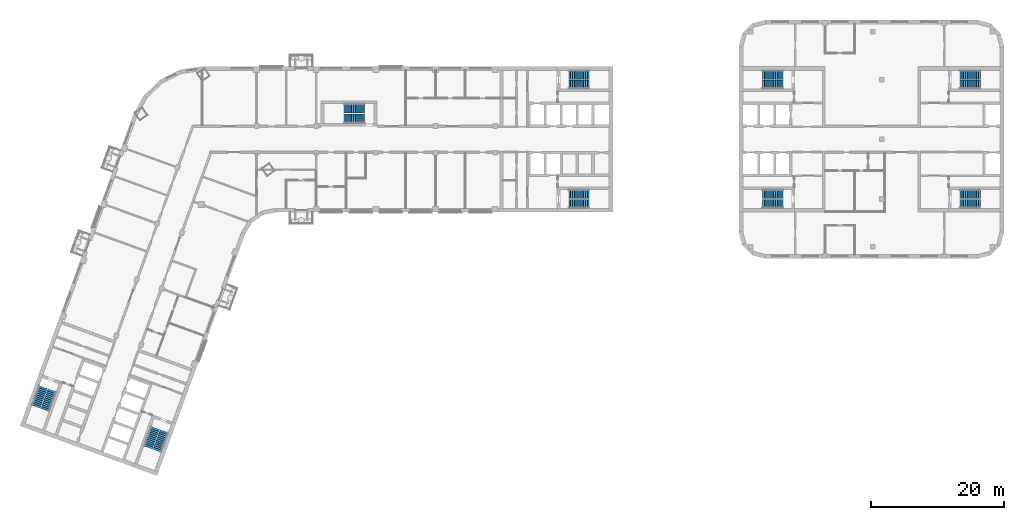
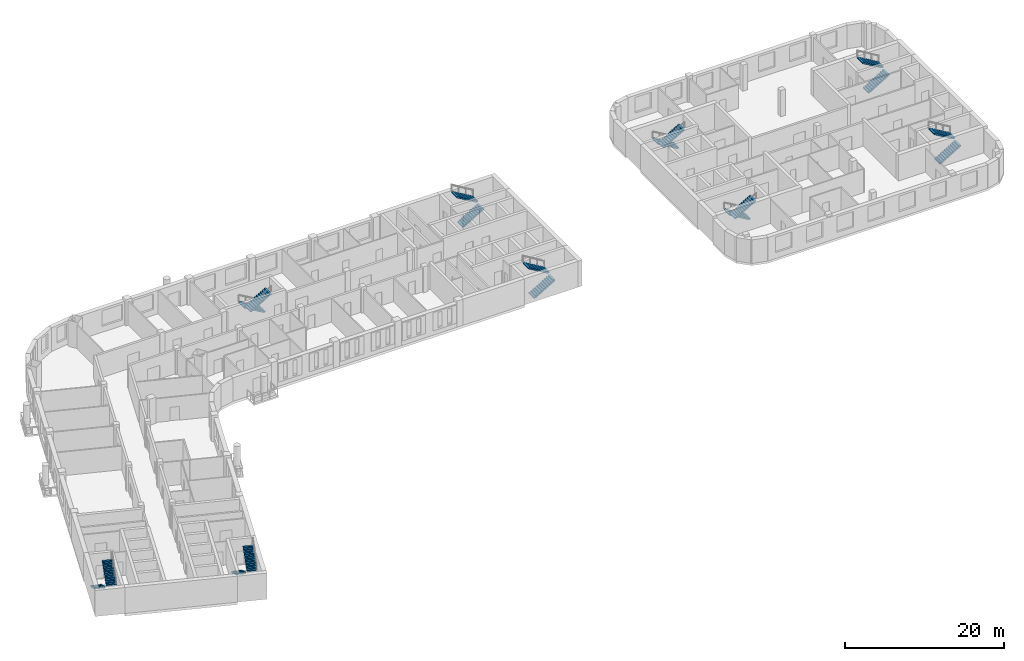
# One storey, part 11 of 16: 18 stair flights, 9 elements without a shape of their own.
"""IFC4 building model written with IfcOpenShell, lengths in metres."""

from ifc_helpers import new_model, si_unit, direction, frame, origin, place, context, subcontext, project, spatial, polyline, outline, extrude, material, type_object, element, aggregate, save


model = new_model("IFC4")

# Units and contexts
model_context = context("Model", 3, precision=1e-05, world=origin(), true_north=direction((0.0, 1.0)))
body_context = subcontext(model_context, "Body", "Model", "MODEL_VIEW")
ifc_project = project(units=[si_unit("LENGTHUNIT", "METRE"), si_unit("AREAUNIT", "SQUARE_METRE"), si_unit("VOLUMEUNIT", "CUBIC_METRE"), si_unit("PLANEANGLEUNIT", "RADIAN"), si_unit("MASSUNIT", "GRAM", prefix="KILO")], contexts=[model_context])

# Site, building, storey
site_placement = place(None, origin())
site = spatial("IfcSite", under=ifc_project, at=site_placement, CompositionType="ELEMENT")
building_placement = place(site_placement, origin())
building = spatial("IfcBuilding", under=site, at=building_placement, Name="Skarvind Civic Tower", CompositionType="ELEMENT")
storey_placement = place(building_placement, frame((0.0, 0.0, 67.5)))
storey = spatial("IfcBuildingStorey", under=building, at=storey_placement, Name="L15", CompositionType="ELEMENT", Elevation=67.5)

# Stair, stair flights
ifc_material = material(Name="Concrete C40/50", Category="concrete")
stair_type_1 = type_object("IfcStairType", Name="Exit stair 1450, half-turn, concrete", PredefinedType="HALF_TURN_STAIR", material=ifc_material)
stair_1_placement = place(storey_placement, origin())
stair_1 = element("IfcStair", 1, at=stair_1_placement, inside=storey, type_object=stair_type_1, Name="Exit stair CM", PredefinedType="HALF_TURN_STAIR")
stair_flight_type_1 = type_object("IfcStairFlightType", Name="Stair flight 1450, concrete", PredefinedType="STRAIGHT", material=ifc_material)
stair_flight_1_placement = place(storey_placement, frame((70.550048828125, 132.675048828125, 0.0), z_axis=(0.0, 0.0, 1.0), x_axis=(-1.0, 0.0, 0.0)))
stair_flight_1 = element("IfcStairFlight", 2, at=stair_flight_1_placement, type_object=stair_flight_type_1, Name="ST-CM flight 1", NumberOfRisers=12, NumberOfTreads=11, PredefinedType="STRAIGHT", RiserHeight=0.166666667, TreadLength=0.28, context=body_context, shape_type="SweptSolid", body=[
    extrude(outline(polyline([(0.0, 0.0), (0.0, 0.166748046875), (0.280029296875, 0.166748046875), (0.280029296875, 0.333251953125), (0.56005859375, 0.333251953125), (0.56005859375, 0.5), (0.840087890625, 0.5), (0.840087890625, 0.666748046875), (1.1201171875, 0.666748046875), (1.1201171875, 0.833251953125), (1.39990234375, 0.833251953125), (1.39990234375, 1.0), (1.679931640625, 1.0), (1.679931640625, 1.166748046875), (1.9599609375, 1.166748046875), (1.9599609375, 1.333251953125), (2.239990234375, 1.333251953125), (2.239990234375, 1.5), (2.52001953125, 1.5), (2.52001953125, 1.666748046875), (2.800048828125, 1.666748046875), (2.800048828125, 1.833251953125), (3.080078125, 1.833251953125), (3.080078125, 2.0), (3.080078125, 1.658935546875), (0.29296875, 0.0), (0.0, 0.0)])), frame((0.0, 0.72509765625, 0.0), z_axis=(0.0, -1.0, 0.0), x_axis=(1.0, 0.0, 0.0)), (0.0, 0.0, 1.0), 1.449951171875),
])
stair_flight_2_placement = place(storey_placement, frame((67.469970703125, 131.125, 2.0), z_axis=(0.0, 0.0, 1.0), x_axis=(1.0, 0.0, 0.0)))
stair_flight_2 = element("IfcStairFlight", 3, at=stair_flight_2_placement, type_object=stair_flight_type_1, Name="ST-CM flight 2", NumberOfRisers=12, NumberOfTreads=11, PredefinedType="STRAIGHT", RiserHeight=0.166666667, TreadLength=0.28, context=body_context, shape_type="SweptSolid", body=[
    extrude(outline(polyline([(0.0, 0.0), (0.0, 0.166748046875), (0.280029296875, 0.166748046875), (0.280029296875, 0.333251953125), (0.56005859375, 0.333251953125), (0.56005859375, 0.5), (0.840087890625, 0.5), (0.840087890625, 0.666748046875), (1.1201171875, 0.666748046875), (1.1201171875, 0.833251953125), (1.39990234375, 0.833251953125), (1.39990234375, 1.0), (1.679931640625, 1.0), (1.679931640625, 1.166748046875), (1.9599609375, 1.166748046875), (1.9599609375, 1.333251953125), (2.239990234375, 1.333251953125), (2.239990234375, 1.5), (2.52001953125, 1.5), (2.52001953125, 1.666748046875), (2.800048828125, 1.666748046875), (2.800048828125, 1.833251953125), (3.080078125, 1.833251953125), (3.080078125, 2.0), (3.080078125, 1.658935546875), (0.29296875, 0.0), (0.0, 0.0)])), frame((0.0, 0.72509765625, 0.0), z_axis=(0.0, -1.0, 0.0), x_axis=(1.0, 0.0, 0.0)), (0.0, 0.0, 1.0), 1.449951171875),
])
aggregate(stair_1, [stair_flight_1, stair_flight_2])

stair_type_2 = type_object("IfcStairType", Name="Exit stair, half-turn, concrete", PredefinedType="HALF_TURN_STAIR", material=ifc_material)
stair_2_placement = place(storey_placement, origin())
stair_2 = element("IfcStair", 4, at=stair_2_placement, inside=storey, type_object=stair_type_2, Name="Exit stair C1S", PredefinedType="HALF_TURN_STAIR")
stair_flight_type_2 = type_object("IfcStairFlightType", Name="Stair flight, concrete", PredefinedType="STRAIGHT", material=ifc_material)
stair_flight_3_placement = place(storey_placement, frame((101.35009765625, 136.27490234375, 0.0), z_axis=(0.0, 0.0, 1.0), x_axis=(1.0, 0.0, 0.0)))
stair_flight_3 = element("IfcStairFlight", 5, at=stair_flight_3_placement, type_object=stair_flight_type_2, Name="ST-C1S flight 1", NumberOfRisers=12, NumberOfTreads=11, PredefinedType="STRAIGHT", RiserHeight=0.166666667, TreadLength=0.28, context=body_context, shape_type="SweptSolid", body=[
    extrude(outline(polyline([(0.0, 0.0), (0.0, 0.166748046875), (0.280029296875, 0.166748046875), (0.280029296875, 0.333251953125), (0.56005859375, 0.333251953125), (0.56005859375, 0.5), (0.840087890625, 0.5), (0.840087890625, 0.666748046875), (1.1201171875, 0.666748046875), (1.1201171875, 0.833251953125), (1.39990234375, 0.833251953125), (1.39990234375, 1.0), (1.679931640625, 1.0), (1.679931640625, 1.166748046875), (1.9599609375, 1.166748046875), (1.9599609375, 1.333251953125), (2.239990234375, 1.333251953125), (2.239990234375, 1.5), (2.52001953125, 1.5), (2.52001953125, 1.666748046875), (2.800048828125, 1.666748046875), (2.800048828125, 1.833251953125), (3.080078125, 1.833251953125), (3.080078125, 2.0), (3.080078125, 1.658935546875), (0.29296875, 0.0), (0.0, 0.0)])), frame((0.0, 0.675048828125, 0.0), z_axis=(0.0, -1.0, 0.0), x_axis=(1.0, 0.0, 0.0)), (0.0, 0.0, 1.0), 1.35009765625),
])
stair_flight_4_placement = place(storey_placement, frame((104.429931640625, 137.72509765625, 2.0), z_axis=(0.0, 0.0, 1.0), x_axis=(-1.0, 0.0, 0.0)))
stair_flight_4 = element("IfcStairFlight", 6, at=stair_flight_4_placement, type_object=stair_flight_type_2, Name="ST-C1S flight 2", NumberOfRisers=12, NumberOfTreads=11, PredefinedType="STRAIGHT", RiserHeight=0.166666667, TreadLength=0.28, context=body_context, shape_type="SweptSolid", body=[
    extrude(outline(polyline([(0.0, 0.0), (0.0, 0.166748046875), (0.280029296875, 0.166748046875), (0.280029296875, 0.333251953125), (0.56005859375, 0.333251953125), (0.56005859375, 0.5), (0.840087890625, 0.5), (0.840087890625, 0.666748046875), (1.1201171875, 0.666748046875), (1.1201171875, 0.833251953125), (1.39990234375, 0.833251953125), (1.39990234375, 1.0), (1.679931640625, 1.0), (1.679931640625, 1.166748046875), (1.9599609375, 1.166748046875), (1.9599609375, 1.333251953125), (2.239990234375, 1.333251953125), (2.239990234375, 1.5), (2.52001953125, 1.5), (2.52001953125, 1.666748046875), (2.800048828125, 1.666748046875), (2.800048828125, 1.833251953125), (3.080078125, 1.833251953125), (3.080078125, 2.0), (3.080078125, 1.658935546875), (0.29296875, 0.0), (0.0, 0.0)])), frame((0.0, 0.675048828125, 0.0), z_axis=(0.0, -1.0, 0.0), x_axis=(1.0, 0.0, 0.0)), (0.0, 0.0, 1.0), 1.35009765625),
])
aggregate(stair_2, [stair_flight_3, stair_flight_4])

stair_3_placement = place(storey_placement, origin())
stair_3 = element("IfcStair", 7, at=stair_3_placement, inside=storey, type_object=stair_type_2, Name="Exit stair C1N", PredefinedType="HALF_TURN_STAIR")
stair_flight_5_placement = place(storey_placement, frame((101.35009765625, 118.27490234375, 0.0), z_axis=(0.0, 0.0, 1.0), x_axis=(1.0, 0.0, 0.0)))
stair_flight_5 = element("IfcStairFlight", 8, at=stair_flight_5_placement, type_object=stair_flight_type_2, Name="ST-C1N flight 1", NumberOfRisers=12, NumberOfTreads=11, PredefinedType="STRAIGHT", RiserHeight=0.166666667, TreadLength=0.28, context=body_context, shape_type="SweptSolid", body=[
    extrude(outline(polyline([(0.0, 0.0), (0.0, 0.166748046875), (0.280029296875, 0.166748046875), (0.280029296875, 0.333251953125), (0.56005859375, 0.333251953125), (0.56005859375, 0.5), (0.840087890625, 0.5), (0.840087890625, 0.666748046875), (1.1201171875, 0.666748046875), (1.1201171875, 0.833251953125), (1.39990234375, 0.833251953125), (1.39990234375, 1.0), (1.679931640625, 1.0), (1.679931640625, 1.166748046875), (1.9599609375, 1.166748046875), (1.9599609375, 1.333251953125), (2.239990234375, 1.333251953125), (2.239990234375, 1.5), (2.52001953125, 1.5), (2.52001953125, 1.666748046875), (2.800048828125, 1.666748046875), (2.800048828125, 1.833251953125), (3.080078125, 1.833251953125), (3.080078125, 2.0), (3.080078125, 1.658935546875), (0.29296875, 0.0), (0.0, 0.0)])), frame((0.0, 0.675048828125, 0.0), z_axis=(0.0, -1.0, 0.0), x_axis=(1.0, 0.0, 0.0)), (0.0, 0.0, 1.0), 1.35009765625),
])
stair_flight_6_placement = place(storey_placement, frame((104.429931640625, 119.72509765625, 2.0), z_axis=(0.0, 0.0, 1.0), x_axis=(-1.0, 0.0, 0.0)))
stair_flight_6 = element("IfcStairFlight", 9, at=stair_flight_6_placement, type_object=stair_flight_type_2, Name="ST-C1N flight 2", NumberOfRisers=12, NumberOfTreads=11, PredefinedType="STRAIGHT", RiserHeight=0.166666667, TreadLength=0.28, context=body_context, shape_type="SweptSolid", body=[
    extrude(outline(polyline([(0.0, 0.0), (0.0, 0.166748046875), (0.280029296875, 0.166748046875), (0.280029296875, 0.333251953125), (0.56005859375, 0.333251953125), (0.56005859375, 0.5), (0.840087890625, 0.5), (0.840087890625, 0.666748046875), (1.1201171875, 0.666748046875), (1.1201171875, 0.833251953125), (1.39990234375, 0.833251953125), (1.39990234375, 1.0), (1.679931640625, 1.0), (1.679931640625, 1.166748046875), (1.9599609375, 1.166748046875), (1.9599609375, 1.333251953125), (2.239990234375, 1.333251953125), (2.239990234375, 1.5), (2.52001953125, 1.5), (2.52001953125, 1.666748046875), (2.800048828125, 1.666748046875), (2.800048828125, 1.833251953125), (3.080078125, 1.833251953125), (3.080078125, 2.0), (3.080078125, 1.658935546875), (0.29296875, 0.0), (0.0, 0.0)])), frame((0.0, 0.675048828125, 0.0), z_axis=(0.0, -1.0, 0.0), x_axis=(1.0, 0.0, 0.0)), (0.0, 0.0, 1.0), 1.35009765625),
])
aggregate(stair_3, [stair_flight_5, stair_flight_6])

stair_4_placement = place(storey_placement, origin())
stair_4 = element("IfcStair", 10, at=stair_4_placement, inside=storey, type_object=stair_type_2, Name="Exit stair C2S", PredefinedType="HALF_TURN_STAIR")
stair_flight_7_placement = place(storey_placement, frame((38.949462890625, 84.43408203125, 0.0), z_axis=(0.0, 0.0, 1.0), x_axis=(-0.342020143326, -0.939692620786, 0.0)))
stair_flight_7 = element("IfcStairFlight", 11, at=stair_flight_7_placement, type_object=stair_flight_type_2, Name="ST-C2S flight 1", NumberOfRisers=12, NumberOfTreads=11, PredefinedType="STRAIGHT", RiserHeight=0.166666667, TreadLength=0.28, context=body_context, shape_type="SweptSolid", body=[
    extrude(outline(polyline([(0.0, 0.0), (0.0, 0.166748046875), (0.280029296875, 0.166748046875), (0.280029296875, 0.333251953125), (0.56005859375, 0.333251953125), (0.56005859375, 0.5), (0.840087890625, 0.5), (0.840087890625, 0.666748046875), (1.1201171875, 0.666748046875), (1.1201171875, 0.833251953125), (1.39990234375, 0.833251953125), (1.39990234375, 1.0), (1.679931640625, 1.0), (1.679931640625, 1.166748046875), (1.9599609375, 1.166748046875), (1.9599609375, 1.333251953125), (2.239990234375, 1.333251953125), (2.239990234375, 1.5), (2.52001953125, 1.5), (2.52001953125, 1.666748046875), (2.800048828125, 1.666748046875), (2.800048828125, 1.833251953125), (3.080078125, 1.833251953125), (3.080078125, 2.0), (3.080078125, 1.658935546875), (0.29296875, 0.0), (0.0, 0.0)])), frame((0.0, 0.675048828125, 0.0), z_axis=(0.0, -1.0, 0.0), x_axis=(1.0, 0.0, 0.0)), (0.0, 0.0, 1.0), 1.35009765625),
])
stair_flight_8_placement = place(storey_placement, frame((39.258544921875, 81.0439453125, 2.0), z_axis=(0.0, 0.0, 1.0), x_axis=(0.342020143326, 0.939692620786, 0.0)))
stair_flight_8 = element("IfcStairFlight", 12, at=stair_flight_8_placement, type_object=stair_flight_type_2, Name="ST-C2S flight 2", NumberOfRisers=12, NumberOfTreads=11, PredefinedType="STRAIGHT", RiserHeight=0.166666667, TreadLength=0.28, context=body_context, shape_type="SweptSolid", body=[
    extrude(outline(polyline([(0.0, 0.0), (0.0, 0.166748046875), (0.280029296875, 0.166748046875), (0.280029296875, 0.333251953125), (0.56005859375, 0.333251953125), (0.56005859375, 0.5), (0.840087890625, 0.5), (0.840087890625, 0.666748046875), (1.1201171875, 0.666748046875), (1.1201171875, 0.833251953125), (1.39990234375, 0.833251953125), (1.39990234375, 1.0), (1.679931640625, 1.0), (1.679931640625, 1.166748046875), (1.9599609375, 1.166748046875), (1.9599609375, 1.333251953125), (2.239990234375, 1.333251953125), (2.239990234375, 1.5), (2.52001953125, 1.5), (2.52001953125, 1.666748046875), (2.800048828125, 1.666748046875), (2.800048828125, 1.833251953125), (3.080078125, 1.833251953125), (3.080078125, 2.0), (3.080078125, 1.658935546875), (0.29296875, 0.0), (0.0, 0.0)])), frame((0.0, 0.675048828125, 0.0), z_axis=(0.0, -1.0, 0.0), x_axis=(1.0, 0.0, 0.0)), (0.0, 0.0, 1.0), 1.35009765625),
])
aggregate(stair_4, [stair_flight_7, stair_flight_8])

stair_5_placement = place(storey_placement, origin())
stair_5 = element("IfcStair", 13, at=stair_5_placement, inside=storey, type_object=stair_type_2, Name="Exit stair C2N", PredefinedType="HALF_TURN_STAIR")
stair_flight_9_placement = place(storey_placement, frame((22.034912109375, 90.590576171875, 0.0), z_axis=(0.0, 0.0, 1.0), x_axis=(-0.342020143326, -0.939692620786, 0.0)))
stair_flight_9 = element("IfcStairFlight", 14, at=stair_flight_9_placement, type_object=stair_flight_type_2, Name="ST-C2N flight 1", NumberOfRisers=12, NumberOfTreads=11, PredefinedType="STRAIGHT", RiserHeight=0.166666667, TreadLength=0.28, context=body_context, shape_type="SweptSolid", body=[
    extrude(outline(polyline([(0.0, 0.0), (0.0, 0.166748046875), (0.280029296875, 0.166748046875), (0.280029296875, 0.333251953125), (0.56005859375, 0.333251953125), (0.56005859375, 0.5), (0.840087890625, 0.5), (0.840087890625, 0.666748046875), (1.1201171875, 0.666748046875), (1.1201171875, 0.833251953125), (1.39990234375, 0.833251953125), (1.39990234375, 1.0), (1.679931640625, 1.0), (1.679931640625, 1.166748046875), (1.9599609375, 1.166748046875), (1.9599609375, 1.333251953125), (2.239990234375, 1.333251953125), (2.239990234375, 1.5), (2.52001953125, 1.5), (2.52001953125, 1.666748046875), (2.800048828125, 1.666748046875), (2.800048828125, 1.833251953125), (3.080078125, 1.833251953125), (3.080078125, 2.0), (3.080078125, 1.658935546875), (0.29296875, 0.0), (0.0, 0.0)])), frame((0.0, 0.675048828125, 0.0), z_axis=(0.0, -1.0, 0.0), x_axis=(1.0, 0.0, 0.0)), (0.0, 0.0, 1.0), 1.35009765625),
])
stair_flight_10_placement = place(storey_placement, frame((22.343994140625, 87.2001953125, 2.0), z_axis=(0.0, 0.0, 1.0), x_axis=(0.342020143326, 0.939692620786, 0.0)))
stair_flight_10 = element("IfcStairFlight", 15, at=stair_flight_10_placement, type_object=stair_flight_type_2, Name="ST-C2N flight 2", NumberOfRisers=12, NumberOfTreads=11, PredefinedType="STRAIGHT", RiserHeight=0.166666667, TreadLength=0.28, context=body_context, shape_type="SweptSolid", body=[
    extrude(outline(polyline([(0.0, 0.0), (0.0, 0.166748046875), (0.280029296875, 0.166748046875), (0.280029296875, 0.333251953125), (0.56005859375, 0.333251953125), (0.56005859375, 0.5), (0.840087890625, 0.5), (0.840087890625, 0.666748046875), (1.1201171875, 0.666748046875), (1.1201171875, 0.833251953125), (1.39990234375, 0.833251953125), (1.39990234375, 1.0), (1.679931640625, 1.0), (1.679931640625, 1.166748046875), (1.9599609375, 1.166748046875), (1.9599609375, 1.333251953125), (2.239990234375, 1.333251953125), (2.239990234375, 1.5), (2.52001953125, 1.5), (2.52001953125, 1.666748046875), (2.800048828125, 1.666748046875), (2.800048828125, 1.833251953125), (3.080078125, 1.833251953125), (3.080078125, 2.0), (3.080078125, 1.658935546875), (0.29296875, 0.0), (0.0, 0.0)])), frame((0.0, 0.675048828125, 0.0), z_axis=(0.0, -1.0, 0.0), x_axis=(1.0, 0.0, 0.0)), (0.0, 0.0, 1.0), 1.35009765625),
])
aggregate(stair_5, [stair_flight_9, stair_flight_10])

stair_6_placement = place(storey_placement, origin())
stair_6 = element("IfcStair", 16, at=stair_6_placement, inside=storey, type_object=stair_type_2, Name="Exit stair CAS", PredefinedType="HALF_TURN_STAIR")
stair_flight_11_placement = place(storey_placement, frame((133.64990234375, 119.72509765625, 0.0), z_axis=(0.0, 0.0, 1.0), x_axis=(-1.0, 0.0, 0.0)))
stair_flight_11 = element("IfcStairFlight", 17, at=stair_flight_11_placement, type_object=stair_flight_type_2, Name="ST-CAS flight 1", NumberOfRisers=12, NumberOfTreads=11, PredefinedType="STRAIGHT", RiserHeight=0.166666667, TreadLength=0.28, context=body_context, shape_type="SweptSolid", body=[
    extrude(outline(polyline([(0.0, 0.0), (0.0, 0.166748046875), (0.280029296875, 0.166748046875), (0.280029296875, 0.333251953125), (0.56005859375, 0.333251953125), (0.56005859375, 0.5), (0.840087890625, 0.5), (0.840087890625, 0.666748046875), (1.1201171875, 0.666748046875), (1.1201171875, 0.833251953125), (1.39990234375, 0.833251953125), (1.39990234375, 1.0), (1.679931640625, 1.0), (1.679931640625, 1.166748046875), (1.9599609375, 1.166748046875), (1.9599609375, 1.333251953125), (2.239990234375, 1.333251953125), (2.239990234375, 1.5), (2.52001953125, 1.5), (2.52001953125, 1.666748046875), (2.800048828125, 1.666748046875), (2.800048828125, 1.833251953125), (3.080078125, 1.833251953125), (3.080078125, 2.0), (3.080078125, 1.658935546875), (0.29296875, 0.0), (0.0, 0.0)])), frame((0.0, 0.675048828125, 0.0), z_axis=(0.0, -1.0, 0.0), x_axis=(1.0, 0.0, 0.0)), (0.0, 0.0, 1.0), 1.35009765625),
])
stair_flight_12_placement = place(storey_placement, frame((130.570068359375, 118.27490234375, 2.0), z_axis=(0.0, 0.0, 1.0), x_axis=(1.0, 0.0, 0.0)))
stair_flight_12 = element("IfcStairFlight", 18, at=stair_flight_12_placement, type_object=stair_flight_type_2, Name="ST-CAS flight 2", NumberOfRisers=12, NumberOfTreads=11, PredefinedType="STRAIGHT", RiserHeight=0.166666667, TreadLength=0.28, context=body_context, shape_type="SweptSolid", body=[
    extrude(outline(polyline([(0.0, 0.0), (0.0, 0.166748046875), (0.280029296875, 0.166748046875), (0.280029296875, 0.333251953125), (0.56005859375, 0.333251953125), (0.56005859375, 0.5), (0.840087890625, 0.5), (0.840087890625, 0.666748046875), (1.1201171875, 0.666748046875), (1.1201171875, 0.833251953125), (1.39990234375, 0.833251953125), (1.39990234375, 1.0), (1.679931640625, 1.0), (1.679931640625, 1.166748046875), (1.9599609375, 1.166748046875), (1.9599609375, 1.333251953125), (2.239990234375, 1.333251953125), (2.239990234375, 1.5), (2.52001953125, 1.5), (2.52001953125, 1.666748046875), (2.800048828125, 1.666748046875), (2.800048828125, 1.833251953125), (3.080078125, 1.833251953125), (3.080078125, 2.0), (3.080078125, 1.658935546875), (0.29296875, 0.0), (0.0, 0.0)])), frame((0.0, 0.675048828125, 0.0), z_axis=(0.0, -1.0, 0.0), x_axis=(1.0, 0.0, 0.0)), (0.0, 0.0, 1.0), 1.35009765625),
])
aggregate(stair_6, [stair_flight_11, stair_flight_12])

stair_7_placement = place(storey_placement, origin())
stair_7 = element("IfcStair", 19, at=stair_7_placement, inside=storey, type_object=stair_type_2, Name="Exit stair CAN", PredefinedType="HALF_TURN_STAIR")
stair_flight_13_placement = place(storey_placement, frame((133.64990234375, 137.72509765625, 0.0), z_axis=(0.0, 0.0, 1.0), x_axis=(-1.0, 0.0, 0.0)))
stair_flight_13 = element("IfcStairFlight", 20, at=stair_flight_13_placement, type_object=stair_flight_type_2, Name="ST-CAN flight 1", NumberOfRisers=12, NumberOfTreads=11, PredefinedType="STRAIGHT", RiserHeight=0.166666667, TreadLength=0.28, context=body_context, shape_type="SweptSolid", body=[
    extrude(outline(polyline([(0.0, 0.0), (0.0, 0.166748046875), (0.280029296875, 0.166748046875), (0.280029296875, 0.333251953125), (0.56005859375, 0.333251953125), (0.56005859375, 0.5), (0.840087890625, 0.5), (0.840087890625, 0.666748046875), (1.1201171875, 0.666748046875), (1.1201171875, 0.833251953125), (1.39990234375, 0.833251953125), (1.39990234375, 1.0), (1.679931640625, 1.0), (1.679931640625, 1.166748046875), (1.9599609375, 1.166748046875), (1.9599609375, 1.333251953125), (2.239990234375, 1.333251953125), (2.239990234375, 1.5), (2.52001953125, 1.5), (2.52001953125, 1.666748046875), (2.800048828125, 1.666748046875), (2.800048828125, 1.833251953125), (3.080078125, 1.833251953125), (3.080078125, 2.0), (3.080078125, 1.658935546875), (0.29296875, 0.0), (0.0, 0.0)])), frame((0.0, 0.675048828125, 0.0), z_axis=(0.0, -1.0, 0.0), x_axis=(1.0, 0.0, 0.0)), (0.0, 0.0, 1.0), 1.35009765625),
])
stair_flight_14_placement = place(storey_placement, frame((130.570068359375, 136.27490234375, 2.0), z_axis=(0.0, 0.0, 1.0), x_axis=(1.0, 0.0, 0.0)))
stair_flight_14 = element("IfcStairFlight", 21, at=stair_flight_14_placement, type_object=stair_flight_type_2, Name="ST-CAN flight 2", NumberOfRisers=12, NumberOfTreads=11, PredefinedType="STRAIGHT", RiserHeight=0.166666667, TreadLength=0.28, context=body_context, shape_type="SweptSolid", body=[
    extrude(outline(polyline([(0.0, 0.0), (0.0, 0.166748046875), (0.280029296875, 0.166748046875), (0.280029296875, 0.333251953125), (0.56005859375, 0.333251953125), (0.56005859375, 0.5), (0.840087890625, 0.5), (0.840087890625, 0.666748046875), (1.1201171875, 0.666748046875), (1.1201171875, 0.833251953125), (1.39990234375, 0.833251953125), (1.39990234375, 1.0), (1.679931640625, 1.0), (1.679931640625, 1.166748046875), (1.9599609375, 1.166748046875), (1.9599609375, 1.333251953125), (2.239990234375, 1.333251953125), (2.239990234375, 1.5), (2.52001953125, 1.5), (2.52001953125, 1.666748046875), (2.800048828125, 1.666748046875), (2.800048828125, 1.833251953125), (3.080078125, 1.833251953125), (3.080078125, 2.0), (3.080078125, 1.658935546875), (0.29296875, 0.0), (0.0, 0.0)])), frame((0.0, 0.675048828125, 0.0), z_axis=(0.0, -1.0, 0.0), x_axis=(1.0, 0.0, 0.0)), (0.0, 0.0, 1.0), 1.35009765625),
])
aggregate(stair_7, [stair_flight_13, stair_flight_14])

stair_8_placement = place(storey_placement, origin())
stair_8 = element("IfcStair", 22, at=stair_8_placement, inside=storey, type_object=stair_type_2, Name="Exit stair CBS", PredefinedType="HALF_TURN_STAIR")
stair_flight_15_placement = place(storey_placement, frame((160.35009765625, 136.27490234375, 0.0), z_axis=(0.0, 0.0, 1.0), x_axis=(1.0, 0.0, 0.0)))
stair_flight_15 = element("IfcStairFlight", 23, at=stair_flight_15_placement, type_object=stair_flight_type_2, Name="ST-CBS flight 1", NumberOfRisers=12, NumberOfTreads=11, PredefinedType="STRAIGHT", RiserHeight=0.166666667, TreadLength=0.28, context=body_context, shape_type="SweptSolid", body=[
    extrude(outline(polyline([(0.0, 0.0), (0.0, 0.166748046875), (0.280029296875, 0.166748046875), (0.280029296875, 0.333251953125), (0.56005859375, 0.333251953125), (0.56005859375, 0.5), (0.840087890625, 0.5), (0.840087890625, 0.666748046875), (1.1201171875, 0.666748046875), (1.1201171875, 0.833251953125), (1.39990234375, 0.833251953125), (1.39990234375, 1.0), (1.679931640625, 1.0), (1.679931640625, 1.166748046875), (1.9599609375, 1.166748046875), (1.9599609375, 1.333251953125), (2.239990234375, 1.333251953125), (2.239990234375, 1.5), (2.52001953125, 1.5), (2.52001953125, 1.666748046875), (2.800048828125, 1.666748046875), (2.800048828125, 1.833251953125), (3.080078125, 1.833251953125), (3.080078125, 2.0), (3.080078125, 1.658935546875), (0.29296875, 0.0), (0.0, 0.0)])), frame((0.0, 0.675048828125, 0.0), z_axis=(0.0, -1.0, 0.0), x_axis=(1.0, 0.0, 0.0)), (0.0, 0.0, 1.0), 1.35009765625),
])
stair_flight_16_placement = place(storey_placement, frame((163.429931640625, 137.72509765625, 2.0), z_axis=(0.0, 0.0, 1.0), x_axis=(-1.0, 0.0, 0.0)))
stair_flight_16 = element("IfcStairFlight", 24, at=stair_flight_16_placement, type_object=stair_flight_type_2, Name="ST-CBS flight 2", NumberOfRisers=12, NumberOfTreads=11, PredefinedType="STRAIGHT", RiserHeight=0.166666667, TreadLength=0.28, context=body_context, shape_type="SweptSolid", body=[
    extrude(outline(polyline([(0.0, 0.0), (0.0, 0.166748046875), (0.280029296875, 0.166748046875), (0.280029296875, 0.333251953125), (0.56005859375, 0.333251953125), (0.56005859375, 0.5), (0.840087890625, 0.5), (0.840087890625, 0.666748046875), (1.1201171875, 0.666748046875), (1.1201171875, 0.833251953125), (1.39990234375, 0.833251953125), (1.39990234375, 1.0), (1.679931640625, 1.0), (1.679931640625, 1.166748046875), (1.9599609375, 1.166748046875), (1.9599609375, 1.333251953125), (2.239990234375, 1.333251953125), (2.239990234375, 1.5), (2.52001953125, 1.5), (2.52001953125, 1.666748046875), (2.800048828125, 1.666748046875), (2.800048828125, 1.833251953125), (3.080078125, 1.833251953125), (3.080078125, 2.0), (3.080078125, 1.658935546875), (0.29296875, 0.0), (0.0, 0.0)])), frame((0.0, 0.675048828125, 0.0), z_axis=(0.0, -1.0, 0.0), x_axis=(1.0, 0.0, 0.0)), (0.0, 0.0, 1.0), 1.35009765625),
])
aggregate(stair_8, [stair_flight_15, stair_flight_16])

stair_9_placement = place(storey_placement, origin())
stair_9 = element("IfcStair", 25, at=stair_9_placement, inside=storey, type_object=stair_type_2, Name="Exit stair CBN", PredefinedType="HALF_TURN_STAIR")
stair_flight_17_placement = place(storey_placement, frame((160.35009765625, 118.27490234375, 0.0), z_axis=(0.0, 0.0, 1.0), x_axis=(1.0, 0.0, 0.0)))
stair_flight_17 = element("IfcStairFlight", 26, at=stair_flight_17_placement, type_object=stair_flight_type_2, Name="ST-CBN flight 1", NumberOfRisers=12, NumberOfTreads=11, PredefinedType="STRAIGHT", RiserHeight=0.166666667, TreadLength=0.28, context=body_context, shape_type="SweptSolid", body=[
    extrude(outline(polyline([(0.0, 0.0), (0.0, 0.166748046875), (0.280029296875, 0.166748046875), (0.280029296875, 0.333251953125), (0.56005859375, 0.333251953125), (0.56005859375, 0.5), (0.840087890625, 0.5), (0.840087890625, 0.666748046875), (1.1201171875, 0.666748046875), (1.1201171875, 0.833251953125), (1.39990234375, 0.833251953125), (1.39990234375, 1.0), (1.679931640625, 1.0), (1.679931640625, 1.166748046875), (1.9599609375, 1.166748046875), (1.9599609375, 1.333251953125), (2.239990234375, 1.333251953125), (2.239990234375, 1.5), (2.52001953125, 1.5), (2.52001953125, 1.666748046875), (2.800048828125, 1.666748046875), (2.800048828125, 1.833251953125), (3.080078125, 1.833251953125), (3.080078125, 2.0), (3.080078125, 1.658935546875), (0.29296875, 0.0), (0.0, 0.0)])), frame((0.0, 0.675048828125, 0.0), z_axis=(0.0, -1.0, 0.0), x_axis=(1.0, 0.0, 0.0)), (0.0, 0.0, 1.0), 1.35009765625),
])
stair_flight_18_placement = place(storey_placement, frame((163.429931640625, 119.72509765625, 2.0), z_axis=(0.0, 0.0, 1.0), x_axis=(-1.0, 0.0, 0.0)))
stair_flight_18 = element("IfcStairFlight", 27, at=stair_flight_18_placement, type_object=stair_flight_type_2, Name="ST-CBN flight 2", NumberOfRisers=12, NumberOfTreads=11, PredefinedType="STRAIGHT", RiserHeight=0.166666667, TreadLength=0.28, context=body_context, shape_type="SweptSolid", body=[
    extrude(outline(polyline([(0.0, 0.0), (0.0, 0.166748046875), (0.280029296875, 0.166748046875), (0.280029296875, 0.333251953125), (0.56005859375, 0.333251953125), (0.56005859375, 0.5), (0.840087890625, 0.5), (0.840087890625, 0.666748046875), (1.1201171875, 0.666748046875), (1.1201171875, 0.833251953125), (1.39990234375, 0.833251953125), (1.39990234375, 1.0), (1.679931640625, 1.0), (1.679931640625, 1.166748046875), (1.9599609375, 1.166748046875), (1.9599609375, 1.333251953125), (2.239990234375, 1.333251953125), (2.239990234375, 1.5), (2.52001953125, 1.5), (2.52001953125, 1.666748046875), (2.800048828125, 1.666748046875), (2.800048828125, 1.833251953125), (3.080078125, 1.833251953125), (3.080078125, 2.0), (3.080078125, 1.658935546875), (0.29296875, 0.0), (0.0, 0.0)])), frame((0.0, 0.675048828125, 0.0), z_axis=(0.0, -1.0, 0.0), x_axis=(1.0, 0.0, 0.0)), (0.0, 0.0, 1.0), 1.35009765625),
])
aggregate(stair_9, [stair_flight_17, stair_flight_18])

save(model, "model.ifc")
